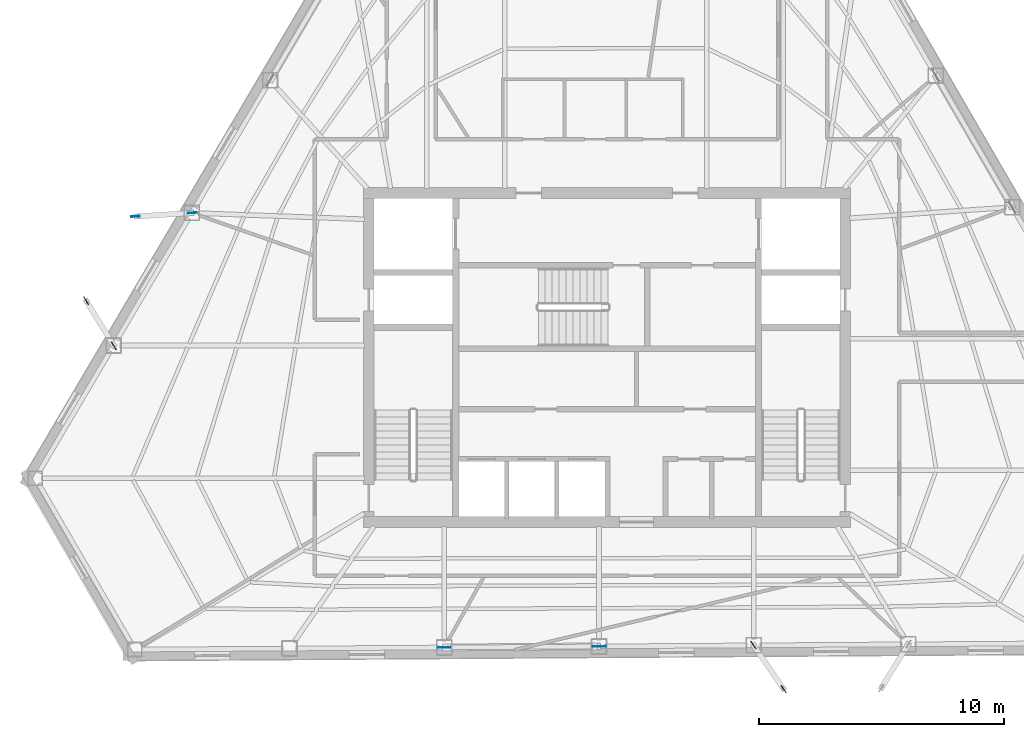
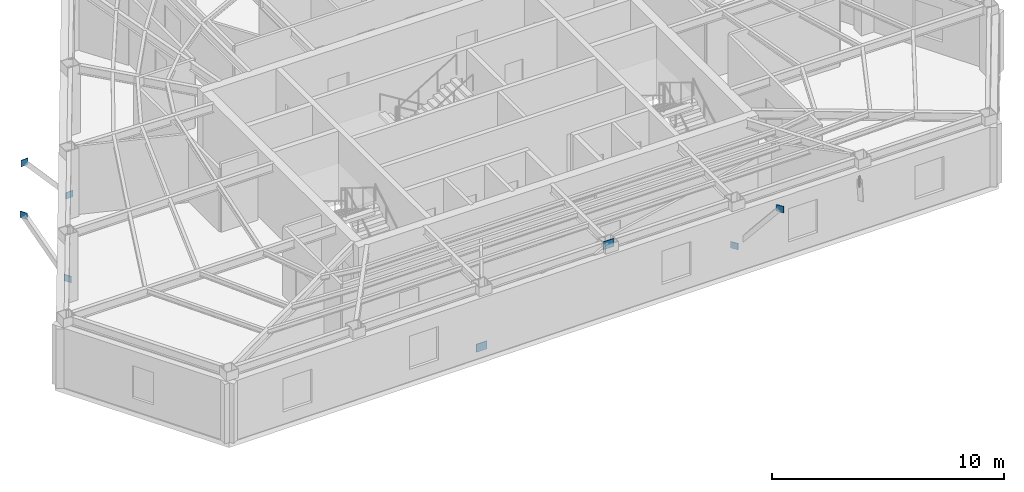
# One storey, part 4 of 10: 8 plates.
"""IFC4 building model written with IfcOpenShell, lengths in metres."""

from ifc_helpers import new_model, si_unit, direction, frame, origin, origin_2d, place, context, subcontext, project, spatial, rectangle, extrude, material, layer, layer_set, type_object, element, save


model = new_model("IFC4")

# Units and contexts
model_context = context("Model", 3, precision=1e-05, world=origin(), true_north=direction((0.0, 1.0)))
body_context = subcontext(model_context, "Body", "Model", "MODEL_VIEW")
ifc_project = project(units=[si_unit("LENGTHUNIT", "METRE"), si_unit("AREAUNIT", "SQUARE_METRE"), si_unit("VOLUMEUNIT", "CUBIC_METRE"), si_unit("PLANEANGLEUNIT", "RADIAN"), si_unit("MASSUNIT", "GRAM", prefix="KILO")], contexts=[model_context])

# Site, building, storey
site_placement = place(None, origin())
site = spatial("IfcSite", under=ifc_project, at=site_placement, CompositionType="ELEMENT")
building_placement = place(site_placement, origin())
building = spatial("IfcBuilding", under=site, at=building_placement, Name="Kavelnor Concourse Tower", CompositionType="ELEMENT")
storey_placement = place(building_placement, frame((0.0, 0.0, 211.199951171875)))
storey = spatial("IfcBuildingStorey", under=building, at=storey_placement, Name="L53", CompositionType="ELEMENT", Elevation=211.199951171875)

# Plates
ifc_material = material(Name="Steel Grade 350", Category="steel")
ifc_layer_1 = layer(ifc_material, 0.028076171875, Name="Steel Grade 350")
ifc_layer_set_1 = layer_set([ifc_layer_1], Name="Steel Grade 350")
plate_type_1 = type_object("IfcPlateType", Name="PL-GUSSET-FOLD", PredefinedType="USERDEFINED", material=ifc_layer_set_1)
for number, where, z_axis, x_axis, name in (
    (1, (21.044189453125, 22.008544921875, 0.8798828125), (0.0, 0.0, 1.0), (-0.99797155335, -0.063661438132, 0.0), "L53 Balcony Strut Gusset GP4 1-A End Gusset A"),
    (2, (18.73193359375, 21.861083984375, 3.48486328125), (0.0, 0.0, 1.0), (-0.99797155335, -0.063661438132, 0.0), "L53 Balcony Strut Gusset GP4 1-A End Gusset B"),
    (3, (17.8408203125, 16.576171875, 0.8798828125), (0.0, 0.0, 1.0), (-0.521605395695, 0.853186855959, 0.0), "L53 Balcony Strut Gusset GP4 1-B End Gusset A"),
    (4, (16.711181640625, 18.42333984375, 3.48486328125), (0.0, 0.0, 1.0), (-0.521605395695, 0.853186855959, 0.0), "L53 Balcony Strut Gusset GP4 1-B End Gusset B"),
    (5, (43.98486328125, 4.34326171875, 0.8798828125), (0.0, 0.0, 1.0), (0.565398954378, -0.824817569156, 0.0), "L53 Balcony Strut Gusset GP4 2-A End Gusset A"),
    (6, (45.216796875, 2.54638671875, 3.48486328125), (0.0, 0.0, 1.0), (0.565398954378, -0.824817569156, 0.0), "L53 Balcony Strut Gusset GP4 2-A End Gusset B"),
):
    element("IfcPlate", number, at=place(storey_placement, frame(where, z_axis=z_axis, x_axis=x_axis)), inside=storey, type_object=plate_type_1, Name=name, ObjectType="GUSSET_PLATE", PredefinedType="USERDEFINED", context=body_context, shape_type="SweptSolid", body=[
        extrude(rectangle(XDim=0.360107421875, YDim=0.028076171875, at=origin_2d()), origin(), (0.0, 0.0, 1.0), 0.340087890625),
    ])
ifc_layer_2 = layer(ifc_material, 0.031982421875, Name="Steel Grade 350")
ifc_layer_set_2 = layer_set([ifc_layer_2], Name="Steel Grade 350")
plate_type_2 = type_object("IfcPlateType", Name="PL-GUSSET-TUBE-Z1", PredefinedType="USERDEFINED", material=ifc_layer_set_2)
for number, where, z_axis, x_axis, name in (
    (7, (31.335693359375, 4.247314453125, 0.010009765625), (0.0, 0.0, 1.0), (0.999976833935, 0.006806731521, 0.0), "L53 Tube Brace Gusset GP3 F1-B2 End Gusset A"),
    (8, (37.681640625, 4.29052734375, 3.16015625), (0.0, 0.0, 1.0), (0.999976833935, 0.006806731521, 0.0), "L53 Tube Brace Gusset GP3 F1-B2 End Gusset B"),
):
    element("IfcPlate", number, at=place(storey_placement, frame(where, z_axis=z_axis, x_axis=x_axis)), inside=storey, type_object=plate_type_2, Name=name, ObjectType="GUSSET_PLATE", PredefinedType="USERDEFINED", context=body_context, shape_type="SweptSolid", body=[
        extrude(rectangle(XDim=0.52001953125, YDim=0.031982421875, at=origin_2d()), origin(), (0.0, 0.0, 1.0), 0.419921875),
    ])

save(model, "model.ifc")
